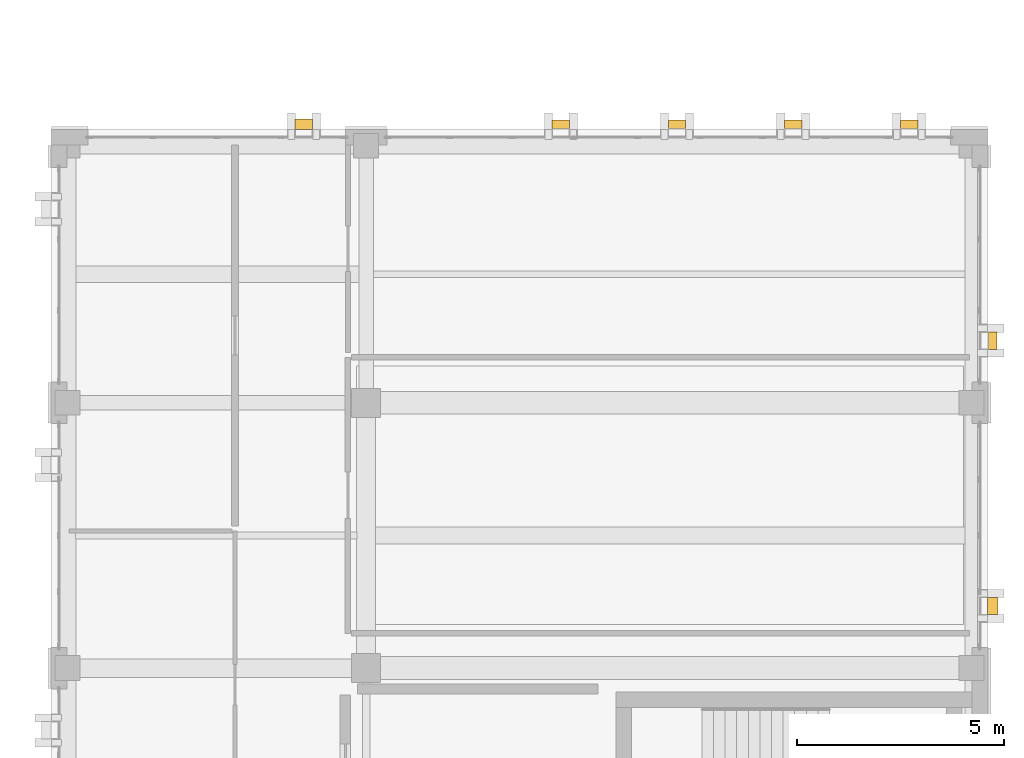
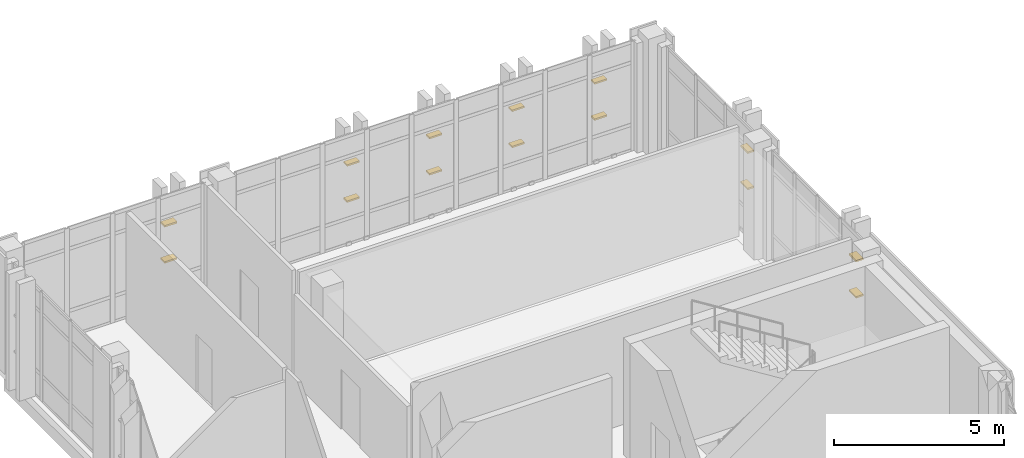
# One storey, part 90 of 90: 14 shading devices.
"""IFC4 building model written with IfcOpenShell, lengths in metres."""

from ifc_helpers import new_model, si_unit, direction, frame, origin, origin_2d, place, context, subcontext, project, spatial, rectangle, extrude, material, type_object, element, save


model = new_model("IFC4")

# Units and contexts
model_context = context("Model", 3, precision=1e-05, world=origin(), true_north=direction((0.0, 1.0)))
body_context = subcontext(model_context, "Body", "Model", "MODEL_VIEW")
ifc_project = project(units=[si_unit("LENGTHUNIT", "METRE"), si_unit("AREAUNIT", "SQUARE_METRE"), si_unit("VOLUMEUNIT", "CUBIC_METRE"), si_unit("PLANEANGLEUNIT", "RADIAN"), si_unit("MASSUNIT", "GRAM", prefix="KILO")], contexts=[model_context])

# Site, building, storey
site_placement = place(None, origin())
site = spatial("IfcSite", under=ifc_project, at=site_placement, CompositionType="ELEMENT")
building_placement = place(site_placement, origin())
building = spatial("IfcBuilding", under=site, at=building_placement, Name="Qalavern Law Courts", CompositionType="ELEMENT")
storey_placement = place(building_placement, frame((0.0, 0.0, 22.800048828125)))
storey = spatial("IfcBuildingStorey", under=building, at=storey_placement, Name="L05", CompositionType="ELEMENT", Elevation=22.800048828125)

# Shading devices
ifc_material = material(Name="Anodised aluminium", Category="aluminium")
shading_device_type_1 = type_object("IfcShadingDeviceType", Name="ENV-LOUV-1", PredefinedType="JALOUSIE", material=ifc_material)
for number, where, z_axis, x_axis, name in (
    (1, (106.91748046875, 80.699951171875, 1.345458984375), (0.0, 0.0, 1.0), (0.0, 1.0, 0.0), "Horizontal sun louvre V4-L05-0-1"),
    (2, (106.91748046875, 80.699951171875, 2.642333984375), (0.0, 0.0, 1.0), (0.0, 1.0, 0.0), "Horizontal sun louvre V4-L05-0-2"),
    (3, (104.89990234375, 85.91748046875, 1.345458984375), (0.0, 0.0, 1.0), (-1.0, 0.0, 0.0), "Horizontal sun louvre V4-L05-0-1"),
    (4, (104.89990234375, 85.91748046875, 2.642333984375), (0.0, 0.0, 1.0), (-1.0, 0.0, 0.0), "Horizontal sun louvre V4-L05-0-2"),
    (5, (102.10009765625, 85.91748046875, 1.345458984375), (0.0, 0.0, 1.0), (-1.0, 0.0, 0.0), "Horizontal sun louvre V4-L05-1-1"),
    (6, (102.10009765625, 85.91748046875, 2.642333984375), (0.0, 0.0, 1.0), (-1.0, 0.0, 0.0), "Horizontal sun louvre V4-L05-1-2"),
    (7, (99.300048828125, 85.91748046875, 1.345458984375), (0.0, 0.0, 1.0), (-1.0, 0.0, 0.0), "Horizontal sun louvre V4-L05-2-1"),
    (8, (99.300048828125, 85.91748046875, 2.642333984375), (0.0, 0.0, 1.0), (-1.0, 0.0, 0.0), "Horizontal sun louvre V4-L05-2-2"),
    (9, (96.5, 85.91748046875, 1.345458984375), (0.0, 0.0, 1.0), (-1.0, 0.0, 0.0), "Horizontal sun louvre V4-L05-3-1"),
    (10, (96.5, 85.91748046875, 2.642333984375), (0.0, 0.0, 1.0), (-1.0, 0.0, 0.0), "Horizontal sun louvre V4-L05-3-2"),
):
    element("IfcShadingDevice", number, at=place(storey_placement, frame(where, z_axis=z_axis, x_axis=x_axis)), inside=storey, type_object=shading_device_type_1, Name=name, PredefinedType="JALOUSIE", context=body_context, shape_type="SweptSolid", body=[
        extrude(rectangle(XDim=0.419921875, YDim=0.2099609375, at=origin_2d()), origin(), (0.0, 0.0, 1.0), 0.06005859375),
    ])
shading_device_type_2 = type_object("IfcShadingDeviceType", Name="ENV-LOUV-2", PredefinedType="JALOUSIE", material=ifc_material)
for number, where, z_axis, x_axis, name in (
    (11, (106.91748046875, 74.300048828125, 1.345458984375), (0.0, 0.0, 1.0), (0.0, 1.0, 0.0), "Horizontal sun louvre V4-L05-0-1"),
    (12, (106.91748046875, 74.300048828125, 2.642333984375), (0.0, 0.0, 1.0), (0.0, 1.0, 0.0), "Horizontal sun louvre V4-L05-0-2"),
    (13, (90.300048828125, 85.91748046875, 1.345458984375), (0.0, 0.0, 1.0), (-1.0, 0.0, 0.0), "Horizontal sun louvre V4-L05-0-1"),
    (14, (90.300048828125, 85.91748046875, 2.642333984375), (0.0, 0.0, 1.0), (-1.0, 0.0, 0.0), "Horizontal sun louvre V4-L05-0-2"),
):
    element("IfcShadingDevice", number, at=place(storey_placement, frame(where, z_axis=z_axis, x_axis=x_axis)), inside=storey, type_object=shading_device_type_2, Name=name, PredefinedType="JALOUSIE", context=body_context, shape_type="SweptSolid", body=[
        extrude(rectangle(XDim=0.419921875, YDim=0.25, at=origin_2d()), origin(), (0.0, 0.0, 1.0), 0.06005859375),
    ])

save(model, "model.ifc")
